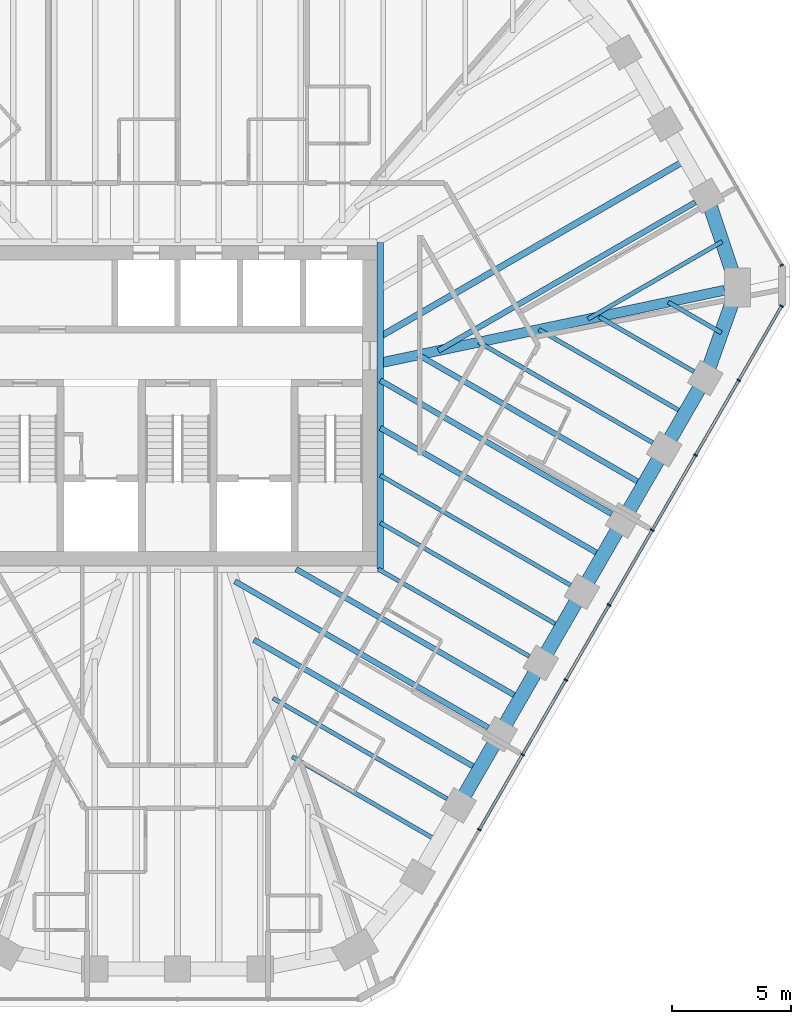
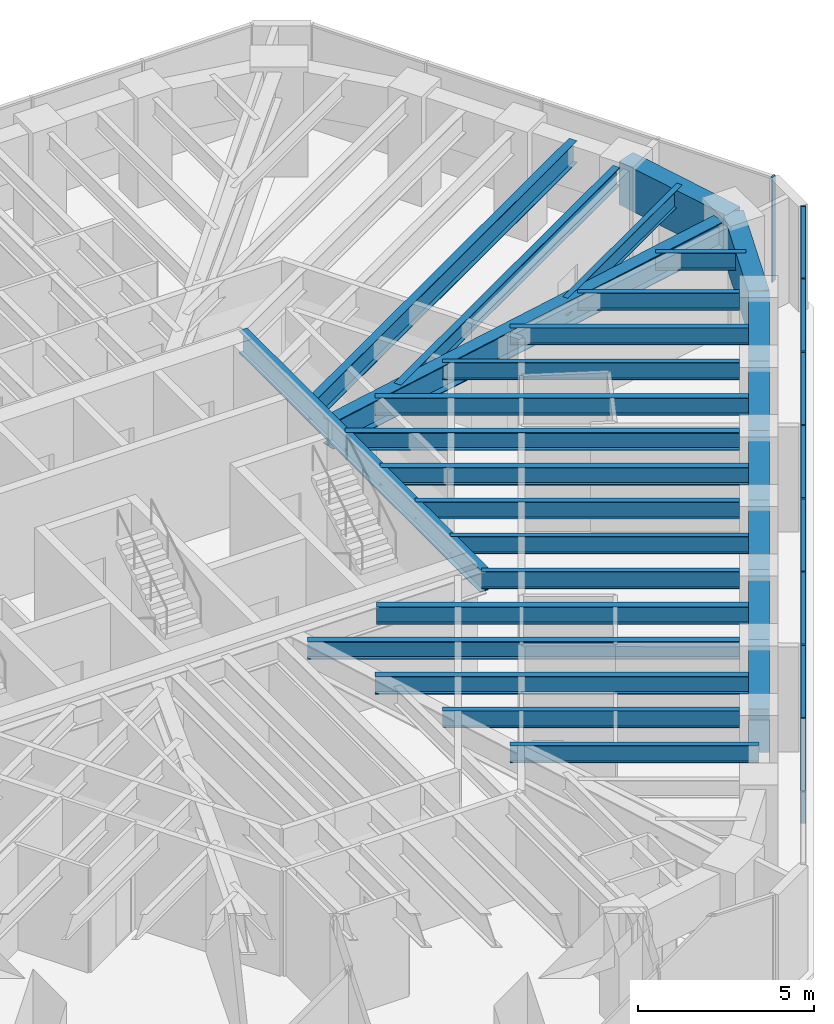
# One storey, part 5 of 14: 28 beams, 16 members, 2 elements without a shape of their own.
"""IFC4 building model written with IfcOpenShell, lengths in metres."""

from ifc_helpers import new_model, si_unit, direction, frame, origin, origin_2d, place, context, subcontext, project, spatial, rectangle, i_section, extrude, material, material_profile, profile_set, type_object, element, aggregate, save


model = new_model("IFC4")

# Units and contexts
model_context = context("Model", 3, precision=1e-05, world=origin(), true_north=direction((0.0, 1.0)))
body_context = subcontext(model_context, "Body", "Model", "MODEL_VIEW")
ifc_project = project(units=[si_unit("LENGTHUNIT", "METRE"), si_unit("AREAUNIT", "SQUARE_METRE"), si_unit("VOLUMEUNIT", "CUBIC_METRE"), si_unit("PLANEANGLEUNIT", "RADIAN"), si_unit("MASSUNIT", "GRAM", prefix="KILO")], contexts=[model_context])

# Site, building, storey
site_placement = place(None, origin())
site = spatial("IfcSite", under=ifc_project, at=site_placement, CompositionType="ELEMENT")
building_placement = place(site_placement, origin())
building = spatial("IfcBuilding", under=site, at=building_placement, Name="Sandreach Pilgrim Tower", CompositionType="ELEMENT")
storey_placement = place(building_placement, frame((0.0, 0.0, 291.199951171875)))
storey = spatial("IfcBuildingStorey", under=building, at=storey_placement, Name="L73", CompositionType="ELEMENT", Elevation=291.199951171875)

# Curtain wall, member
ifc_material_1 = material(Name="Aluminium framed curtain wall", Category="aluminium")
curtain_wall_type = type_object("IfcCurtainWallType", Name="Suite tower curtain wall", PredefinedType="NOTDEFINED", material=ifc_material_1)
curtain_wall_1_placement = place(storey_placement, origin())
curtain_wall_1 = element("IfcCurtainWall", 1, at=curtain_wall_1_placement, inside=storey, type_object=curtain_wall_type, Name="CW-4 L73 NE", PredefinedType="NOTDEFINED")
ifc_material_2 = material(Name="Aluminium extrusion", Category="aluminium")
ifc_material_profile_1 = material_profile(ifc_material_2, rectangle(XDim=0.06005859375, YDim=0.159912109375, at=origin_2d()), Name="CW-4M 60X160")
ifc_profile_set_1 = profile_set([ifc_material_profile_1], Name="Aluminium extrusion")
member_type_1 = type_object("IfcMemberType", Name="CW-4 mullion", PredefinedType="MULLION", material=ifc_profile_set_1)
member_1_placement = place(storey_placement, frame((25.304443359375, 5.8876953125, 0.0), z_axis=(0.0, 0.0, 1.0), x_axis=(0.5, -0.866025403784, 0.0)))
member_1 = element("IfcMember", 2, at=member_1_placement, type_object=member_type_1, Name="CW-4 mullion 5", PredefinedType="MULLION", context=body_context, shape_type="SweptSolid", body=[
    extrude(rectangle(XDim=0.06005859375, YDim=0.159912109375, at=origin_2d()), origin(), (0.0, 0.0, 1.0), 3.64013671875),
])
aggregate(curtain_wall_1, [member_1])

# Curtain wall, members
curtain_wall_2_placement = place(storey_placement, origin())
curtain_wall_2 = element("IfcCurtainWall", 3, at=curtain_wall_2_placement, inside=storey, type_object=curtain_wall_type, Name="CW-4 L73 SE", PredefinedType="NOTDEFINED")
member_2_placement = place(storey_placement, frame((25.304443359375, 4.175537109375, 0.0), z_axis=(0.0, 0.0, 1.0), x_axis=(-0.5, -0.866025403784, 0.0)))
member_2 = element("IfcMember", 4, at=member_2_placement, type_object=member_type_1, Name="CW-4 mullion 1", PredefinedType="MULLION", context=body_context, shape_type="SweptSolid", body=[
    extrude(rectangle(XDim=0.06005859375, YDim=0.159912109375, at=origin_2d()), origin(), (0.0, 0.0, 1.0), 3.64013671875),
])
member_3_placement = place(storey_placement, frame((23.508544921875, 1.06494140625, 0.0), z_axis=(0.0, 0.0, 1.0), x_axis=(-0.5, -0.866025403784, 0.0)))
member_3 = element("IfcMember", 5, at=member_3_placement, type_object=member_type_1, Name="CW-4 mullion 2", PredefinedType="MULLION", context=body_context, shape_type="SweptSolid", body=[
    extrude(rectangle(XDim=0.06005859375, YDim=0.159912109375, at=origin_2d()), origin(), (0.0, 0.0, 1.0), 3.64013671875),
])
member_4_placement = place(storey_placement, frame((21.697509765625, -2.071533203125, 0.0), z_axis=(0.0, 0.0, 1.0), x_axis=(-0.5, -0.866025403784, 0.0)))
member_4 = element("IfcMember", 6, at=member_4_placement, type_object=member_type_1, Name="CW-4 mullion 3", PredefinedType="MULLION", context=body_context, shape_type="SweptSolid", body=[
    extrude(rectangle(XDim=0.06005859375, YDim=0.159912109375, at=origin_2d()), origin(), (0.0, 0.0, 1.0), 3.64013671875),
])
member_5_placement = place(storey_placement, frame((19.886474609375, -5.208251953125, 0.0), z_axis=(0.0, 0.0, 1.0), x_axis=(-0.5, -0.866025403784, 0.0)))
member_5 = element("IfcMember", 7, at=member_5_placement, type_object=member_type_1, Name="CW-4 mullion 4", PredefinedType="MULLION", context=body_context, shape_type="SweptSolid", body=[
    extrude(rectangle(XDim=0.06005859375, YDim=0.159912109375, at=origin_2d()), origin(), (0.0, 0.0, 1.0), 3.64013671875),
])
member_6_placement = place(storey_placement, frame((18.07568359375, -8.344970703125, 0.0), z_axis=(0.0, 0.0, 1.0), x_axis=(-0.5, -0.866025403784, 0.0)))
member_6 = element("IfcMember", 8, at=member_6_placement, type_object=member_type_1, Name="CW-4 mullion 5", PredefinedType="MULLION", context=body_context, shape_type="SweptSolid", body=[
    extrude(rectangle(XDim=0.06005859375, YDim=0.159912109375, at=origin_2d()), origin(), (0.0, 0.0, 1.0), 3.64013671875),
])
member_7_placement = place(storey_placement, frame((16.2646484375, -11.4814453125, 0.0), z_axis=(0.0, 0.0, 1.0), x_axis=(-0.5, -0.866025403784, 0.0)))
member_7 = element("IfcMember", 9, at=member_7_placement, type_object=member_type_1, Name="CW-4 mullion 6", PredefinedType="MULLION", context=body_context, shape_type="SweptSolid", body=[
    extrude(rectangle(XDim=0.06005859375, YDim=0.159912109375, at=origin_2d()), origin(), (0.0, 0.0, 1.0), 3.64013671875),
])
member_8_placement = place(storey_placement, frame((14.453857421875, -14.6181640625, 0.0), z_axis=(0.0, 0.0, 1.0), x_axis=(-0.5, -0.866025403784, 0.0)))
member_8 = element("IfcMember", 10, at=member_8_placement, type_object=member_type_1, Name="CW-4 mullion 7", PredefinedType="MULLION", context=body_context, shape_type="SweptSolid", body=[
    extrude(rectangle(XDim=0.06005859375, YDim=0.159912109375, at=origin_2d()), origin(), (0.0, 0.0, 1.0), 3.64013671875),
])
member_9_placement = place(storey_placement, frame((12.642822265625, -17.7548828125, 0.0), z_axis=(0.0, 0.0, 1.0), x_axis=(-0.5, -0.866025403784, 0.0)))
member_9 = element("IfcMember", 11, at=member_9_placement, type_object=member_type_1, Name="CW-4 mullion 8", PredefinedType="MULLION", context=body_context, shape_type="SweptSolid", body=[
    extrude(rectangle(XDim=0.06005859375, YDim=0.159912109375, at=origin_2d()), origin(), (0.0, 0.0, 1.0), 3.64013671875),
])
ifc_material_3 = material(Name="Aluminium extrusion", Category="aluminium")
ifc_material_profile_2 = material_profile(ifc_material_3, rectangle(XDim=0.1201171875, YDim=0.070068359375, at=origin_2d()), Name="CW-4T 120X70")
ifc_profile_set_2 = profile_set([ifc_material_profile_2], Name="Aluminium extrusion")
member_type_2 = type_object("IfcMemberType", Name="CW-4 transom", PredefinedType="USERDEFINED", material=ifc_profile_set_2)
member_10_placement = place(storey_placement, frame((25.289306640625, 4.149658203125, 3.60498046875), z_axis=(-0.499997709859, -0.866026725994, 0.0), x_axis=(0.866026725994, -0.499997709859, 0.0)))
member_10 = element("IfcMember", 12, at=member_10_placement, type_object=member_type_2, Name="CW-4 head transom 1", ObjectType="TRANSOM", PredefinedType="USERDEFINED", context=body_context, shape_type="SweptSolid", body=[
    extrude(rectangle(XDim=0.1201171875, YDim=0.070068359375, at=origin_2d()), origin(), (0.0, 0.0, 1.0), 3.53173828125),
])
member_11_placement = place(storey_placement, frame((23.493408203125, 1.0390625, 3.60498046875), z_axis=(-0.500009219579, -0.866020080793, 0.0), x_axis=(0.866020080793, -0.500009219579, 0.0)))
member_11 = element("IfcMember", 13, at=member_11_placement, type_object=member_type_2, Name="CW-4 head transom 2", ObjectType="TRANSOM", PredefinedType="USERDEFINED", context=body_context, shape_type="SweptSolid", body=[
    extrude(rectangle(XDim=0.1201171875, YDim=0.070068359375, at=origin_2d()), origin(), (0.0, 0.0, 1.0), 3.56201171875),
])
member_12_placement = place(storey_placement, frame((21.6826171875, -2.09765625, 3.60498046875), z_axis=(-0.500009219579, -0.866020080793, 0.0), x_axis=(0.866020080793, -0.500009219579, 0.0)))
member_12 = element("IfcMember", 14, at=member_12_placement, type_object=member_type_2, Name="CW-4 head transom 3", ObjectType="TRANSOM", PredefinedType="USERDEFINED", context=body_context, shape_type="SweptSolid", body=[
    extrude(rectangle(XDim=0.1201171875, YDim=0.070068359375, at=origin_2d()), origin(), (0.0, 0.0, 1.0), 3.56201171875),
])
member_13_placement = place(storey_placement, frame((19.87158203125, -5.234375, 3.60498046875), z_axis=(-0.500038900691, -0.866002943295, 0.0), x_axis=(0.866002943295, -0.500038900691, 0.0)))
member_13 = element("IfcMember", 15, at=member_13_placement, type_object=member_type_2, Name="CW-4 head transom 4", ObjectType="TRANSOM", PredefinedType="USERDEFINED", context=body_context, shape_type="SweptSolid", body=[
    extrude(rectangle(XDim=0.1201171875, YDim=0.070068359375, at=origin_2d()), origin(), (0.0, 0.0, 1.0), 3.561767578125),
])
member_14_placement = place(storey_placement, frame((18.060546875, -8.370849609375, 3.60498046875), z_axis=(-0.499957811549, -0.866049759928, 0.0), x_axis=(0.866049759928, -0.499957811549, 0.0)))
member_14 = element("IfcMember", 16, at=member_14_placement, type_object=member_type_2, Name="CW-4 head transom 5", ObjectType="TRANSOM", PredefinedType="USERDEFINED", context=body_context, shape_type="SweptSolid", body=[
    extrude(rectangle(XDim=0.1201171875, YDim=0.070068359375, at=origin_2d()), origin(), (0.0, 0.0, 1.0), 3.561767578125),
])
member_15_placement = place(storey_placement, frame((16.249755859375, -11.507568359375, 3.60498046875), z_axis=(-0.500009219579, -0.866020080793, 0.0), x_axis=(0.866020080793, -0.500009219579, 0.0)))
member_15 = element("IfcMember", 17, at=member_15_placement, type_object=member_type_2, Name="CW-4 head transom 6", ObjectType="TRANSOM", PredefinedType="USERDEFINED", context=body_context, shape_type="SweptSolid", body=[
    extrude(rectangle(XDim=0.1201171875, YDim=0.070068359375, at=origin_2d()), origin(), (0.0, 0.0, 1.0), 3.56201171875),
])
member_16_placement = place(storey_placement, frame((14.438720703125, -14.64404296875, 3.60498046875), z_axis=(-0.499957811549, -0.866049759928, 0.0), x_axis=(0.866049759928, -0.499957811549, 0.0)))
member_16 = element("IfcMember", 18, at=member_16_placement, type_object=member_type_2, Name="CW-4 head transom 7", ObjectType="TRANSOM", PredefinedType="USERDEFINED", context=body_context, shape_type="SweptSolid", body=[
    extrude(rectangle(XDim=0.1201171875, YDim=0.070068359375, at=origin_2d()), origin(), (0.0, 0.0, 1.0), 3.561767578125),
])
aggregate(curtain_wall_2, [member_2, member_3, member_4, member_5, member_6, member_7, member_8, member_9, member_10, member_11, member_12, member_13, member_14, member_15, member_16])

# Beams
ifc_material_4 = material(Name="Steel ASTM A992 Grade 50", Category="steel")
ifc_material_profile_3 = material_profile(ifc_material_4, i_section(OverallWidth=0.2666015625, OverallDepth=0.77978515625, WebThickness=0.0166015625, FlangeThickness=0.030029296875, at=origin_2d()), Name="W30X148")
ifc_profile_set_3 = profile_set([ifc_material_profile_3], Name="Steel ASTM A992 Grade 50")
beam_type_1 = type_object("IfcBeamType", Name="Core edge beam W30X148", PredefinedType="BEAM", material=ifc_profile_set_3)
beam_1_placement = place(storey_placement, frame((8.493408203125, 6.84326171875, 3.250244140625), z_axis=(0.0, -1.0, 0.0), x_axis=(1.0, 0.0, 0.0)))
element("IfcBeam", 19, at=beam_1_placement, inside=storey, type_object=beam_type_1, Name="BM L73 CEE", PredefinedType="BEAM", context=body_context, shape_type="SweptSolid", body=[
    extrude(i_section(OverallWidth=0.2666015625, OverallDepth=0.77978515625, WebThickness=0.0166015625, FlangeThickness=0.030029296875, at=origin_2d()), origin(), (0.0, 0.0, 1.0), 13.6865234375),
])
ifc_material_5 = material(Name="Steel ASTM A992 Grade 50", Category="steel")
ifc_material_profile_4 = material_profile(ifc_material_5, i_section(OverallWidth=0.419189453125, OverallDepth=0.927001953125, WebThickness=0.019287109375, FlangeThickness=0.031982421875, at=origin_2d()), Name="W36X231")
ifc_profile_set_4 = profile_set([ifc_material_profile_4], Name="Steel ASTM A992 Grade 50")
beam_type_2 = type_object("IfcBeamType", Name="Corner girder W36X231", PredefinedType="BEAM", material=ifc_profile_set_4)
beam_2_placement = place(storey_placement, frame((22.917724609375, 4.838623046875, 3.176513671875), z_axis=(-0.978430270369, -0.206577360876, 0.0), x_axis=(0.206577360876, -0.978430270369, 0.0)))
element("IfcBeam", 20, at=beam_2_placement, inside=storey, type_object=beam_type_2, Name="BM L73 CG13", PredefinedType="BEAM", context=body_context, shape_type="SweptSolid", body=[
    extrude(i_section(OverallWidth=0.419189453125, OverallDepth=0.927001953125, WebThickness=0.019287109375, FlangeThickness=0.031982421875, at=origin_2d()), origin(), (0.0, 0.0, 1.0), 14.888671875),
])
ifc_material_6 = material(Name="Steel ASTM A992 Grade 50", Category="steel")
ifc_material_profile_5 = material_profile(ifc_material_6, i_section(OverallWidth=0.1787109375, OverallDepth=0.60205078125, WebThickness=0.010986328125, FlangeThickness=0.014892578125, at=origin_2d()), Name="W24X62")
ifc_profile_set_5 = profile_set([ifc_material_profile_5], Name="Steel ASTM A992 Grade 50")
beam_type_3 = type_object("IfcBeamType", Name="Floor beam W24X62", PredefinedType="BEAM", material=ifc_profile_set_5)
beam_3_placement = place(storey_placement, frame((21.631591796875, 1.433837890625, 3.339111328125), z_axis=(-0.866037621819, 0.499978837146, 0.0), x_axis=(-0.499978837146, -0.866037621819, 0.0)))
element("IfcBeam", 21, at=beam_3_placement, inside=storey, type_object=beam_type_3, Name="BM L73 F14", PredefinedType="BEAM", context=body_context, shape_type="SweptSolid", body=[
    extrude(i_section(OverallWidth=0.1787109375, OverallDepth=0.60205078125, WebThickness=0.010986328125, FlangeThickness=0.014892578125, at=origin_2d()), origin(), (0.0, 0.0, 1.0), 4.588623046875),
])
beam_4_placement = place(storey_placement, frame((19.908935546875, -1.549560546875, 3.339111328125), z_axis=(-0.866026819143, 0.499997548519, 0.0), x_axis=(-0.499997548519, -0.866026819143, 0.0)))
element("IfcBeam", 22, at=beam_4_placement, inside=storey, type_object=beam_type_3, Name="BM L73 F15", PredefinedType="BEAM", context=body_context, shape_type="SweptSolid", body=[
    extrude(i_section(OverallWidth=0.1787109375, OverallDepth=0.60205078125, WebThickness=0.010986328125, FlangeThickness=0.014892578125, at=origin_2d()), origin(), (0.0, 0.0, 1.0), 8.4248046875),
])
beam_5_placement = place(storey_placement, frame((16.4638671875, -7.516357421875, 3.339111328125), z_axis=(-0.866022580836, 0.500004889459, 0.0), x_axis=(-0.500004889459, -0.866022580836, 0.0)))
element("IfcBeam", 23, at=beam_5_placement, inside=storey, type_object=beam_type_3, Name="BM L73 F17", PredefinedType="BEAM", context=body_context, shape_type="SweptSolid", body=[
    extrude(i_section(OverallWidth=0.1787109375, OverallDepth=0.60205078125, WebThickness=0.010986328125, FlangeThickness=0.014892578125, at=origin_2d()), origin(), (0.0, 0.0, 1.0), 9.20361328125),
])
beam_6_placement = place(storey_placement, frame((14.741455078125, -10.5, 3.339111328125), z_axis=(-0.866019920622, 0.500009496996, 0.0), x_axis=(-0.500009496996, -0.866019920622, 0.0)))
element("IfcBeam", 24, at=beam_6_placement, inside=storey, type_object=beam_type_3, Name="BM L73 F18", PredefinedType="BEAM", context=body_context, shape_type="SweptSolid", body=[
    extrude(i_section(OverallWidth=0.1787109375, OverallDepth=0.60205078125, WebThickness=0.010986328125, FlangeThickness=0.014892578125, at=origin_2d()), origin(), (0.0, 0.0, 1.0), 7.313232421875),
])
beam_7_placement = place(storey_placement, frame((11.29638671875, -16.466796875, 3.339111328125), z_axis=(-0.866026819143, 0.499997548519, 0.0), x_axis=(-0.499997548519, -0.866026819143, 0.0)))
element("IfcBeam", 25, at=beam_7_placement, inside=storey, type_object=beam_type_3, Name="BM L73 F20", PredefinedType="BEAM", context=body_context, shape_type="SweptSolid", body=[
    extrude(i_section(OverallWidth=0.1787109375, OverallDepth=0.60205078125, WebThickness=0.010986328125, FlangeThickness=0.014892578125, at=origin_2d()), origin(), (0.0, 0.0, 1.0), 8.4248046875),
])
beam_8_placement = place(storey_placement, frame((22.8125, 6.875, 3.339111328125), z_axis=(-0.866023980233, -0.500002465655, 0.0), x_axis=(0.500002465655, -0.866023980233, 0.0)))
element("IfcBeam", 26, at=beam_8_placement, inside=storey, type_object=beam_type_3, Name="BM L73 FM12", PredefinedType="BEAM", context=body_context, shape_type="SweptSolid", body=[
    extrude(i_section(OverallWidth=0.1787109375, OverallDepth=0.60205078125, WebThickness=0.010986328125, FlangeThickness=0.014892578125, at=origin_2d()), origin(), (0.0, 0.0, 1.0), 6.49072265625),
])
beam_9_placement = place(storey_placement, frame((22.78173828125, 3.0556640625, 3.339111328125), z_axis=(-0.8660004255, 0.500043261163, 0.0), x_axis=(-0.500043261163, -0.8660004255, 0.0)))
element("IfcBeam", 27, at=beam_9_placement, inside=storey, type_object=beam_type_3, Name="BM L73 FM13", PredefinedType="BEAM", context=body_context, shape_type="SweptSolid", body=[
    extrude(i_section(OverallWidth=0.1787109375, OverallDepth=0.60205078125, WebThickness=0.010986328125, FlangeThickness=0.014892578125, at=origin_2d()), origin(), (0.0, 0.0, 1.0), 2.569091796875),
])
beam_10_placement = place(storey_placement, frame((21.24658203125, -0.332763671875, 3.339111328125), z_axis=(-0.866028878405, 0.499993981732, 0.0), x_axis=(-0.499993981732, -0.866028878405, 0.0)))
element("IfcBeam", 28, at=beam_10_placement, inside=storey, type_object=beam_type_3, Name="BM L73 FM14", PredefinedType="BEAM", context=body_context, shape_type="SweptSolid", body=[
    extrude(i_section(OverallWidth=0.1787109375, OverallDepth=0.60205078125, WebThickness=0.010986328125, FlangeThickness=0.014892578125, at=origin_2d()), origin(), (0.0, 0.0, 1.0), 7.056640625),
])
beam_11_placement = place(storey_placement, frame((16.0791015625, -9.283203125, 3.339111328125), z_axis=(-0.866023595995, 0.500003131169, 0.0), x_axis=(-0.500003131169, -0.866023595995, 0.0)))
element("IfcBeam", 29, at=beam_11_placement, inside=storey, type_object=beam_type_3, Name="BM L73 FM17", PredefinedType="BEAM", context=body_context, shape_type="SweptSolid", body=[
    extrude(i_section(OverallWidth=0.1787109375, OverallDepth=0.60205078125, WebThickness=0.010986328125, FlangeThickness=0.014892578125, at=origin_2d()), origin(), (0.0, 0.0, 1.0), 8.75927734375),
])
beam_12_placement = place(storey_placement, frame((10.911376953125, -18.233642578125, 3.339111328125), z_axis=(-0.866020229007, 0.50000896287, 0.0), x_axis=(-0.50000896287, -0.866020229007, 0.0)))
element("IfcBeam", 30, at=beam_12_placement, inside=storey, type_object=beam_type_3, Name="BM L73 FM20", PredefinedType="BEAM", context=body_context, shape_type="SweptSolid", body=[
    extrude(i_section(OverallWidth=0.1787109375, OverallDepth=0.60205078125, WebThickness=0.010986328125, FlangeThickness=0.014892578125, at=origin_2d()), origin(), (0.0, 0.0, 1.0), 7.056396484375),
])
ifc_material_7 = material(Name="Steel ASTM A992 Grade 50", Category="steel")
ifc_material_profile_6 = material_profile(ifc_material_7, i_section(OverallWidth=0.23046875, OverallDepth=0.6171875, WebThickness=0.01318359375, FlangeThickness=0.022216796875, at=origin_2d()), Name="W24X94")
ifc_profile_set_6 = profile_set([ifc_material_profile_6], Name="Steel ASTM A992 Grade 50")
beam_type_4 = type_object("IfcBeamType", Name="Floor beam W24X94", PredefinedType="BEAM", material=ifc_profile_set_6)
beam_13_placement = place(storey_placement, frame((21.69287109375, 8.522705078125, 3.33154296875), z_axis=(-0.866028931402, -0.499993889937, 0.0), x_axis=(0.499993889937, -0.866028931402, 0.0)))
element("IfcBeam", 31, at=beam_13_placement, inside=storey, type_object=beam_type_4, Name="BM L73 F12", PredefinedType="BEAM", context=body_context, shape_type="SweptSolid", body=[
    extrude(i_section(OverallWidth=0.23046875, OverallDepth=0.6171875, WebThickness=0.01318359375, FlangeThickness=0.022216796875, at=origin_2d()), origin(), (0.0, 0.0, 1.0), 12.431396484375),
])
beam_14_placement = place(storey_placement, frame((18.1865234375, -4.532958984375, 3.33154296875), z_axis=(-0.866030482771, 0.499991202833, 0.0), x_axis=(-0.499991202833, -0.866030482771, 0.0)))
element("IfcBeam", 32, at=beam_14_placement, inside=storey, type_object=beam_type_4, Name="BM L73 F16", PredefinedType="BEAM", context=body_context, shape_type="SweptSolid", body=[
    extrude(i_section(OverallWidth=0.23046875, OverallDepth=0.6171875, WebThickness=0.01318359375, FlangeThickness=0.022216796875, at=origin_2d()), origin(), (0.0, 0.0, 1.0), 11.192626953125),
])
beam_15_placement = place(storey_placement, frame((13.018798828125, -13.4833984375, 3.33154296875), z_axis=(-0.866019132277, 0.500010862412, 0.0), x_axis=(-0.500010862412, -0.866019132277, 0.0)))
element("IfcBeam", 33, at=beam_15_placement, inside=storey, type_object=beam_type_4, Name="BM L73 F19", PredefinedType="BEAM", context=body_context, shape_type="SweptSolid", body=[
    extrude(i_section(OverallWidth=0.23046875, OverallDepth=0.6171875, WebThickness=0.01318359375, FlangeThickness=0.022216796875, at=origin_2d()), origin(), (0.0, 0.0, 1.0), 12.261474609375),
])
beam_16_placement = place(storey_placement, frame((19.52392578125, -3.316162109375, 3.33154296875), z_axis=(-0.866029205616, 0.499993414976, 0.0), x_axis=(-0.499993414976, -0.866029205616, 0.0)))
element("IfcBeam", 34, at=beam_16_placement, inside=storey, type_object=beam_type_4, Name="BM L73 FM15", PredefinedType="BEAM", context=body_context, shape_type="SweptSolid", body=[
    extrude(i_section(OverallWidth=0.23046875, OverallDepth=0.6171875, WebThickness=0.01318359375, FlangeThickness=0.022216796875, at=origin_2d()), origin(), (0.0, 0.0, 1.0), 10.893310546875),
])
beam_17_placement = place(storey_placement, frame((17.801513671875, -6.2998046875, 3.33154296875), z_axis=(-0.866025958161, 0.49999903979, 0.0), x_axis=(-0.49999903979, -0.866025958161, 0.0)))
element("IfcBeam", 35, at=beam_17_placement, inside=storey, type_object=beam_type_4, Name="BM L73 FM16", PredefinedType="BEAM", context=body_context, shape_type="SweptSolid", body=[
    extrude(i_section(OverallWidth=0.23046875, OverallDepth=0.6171875, WebThickness=0.01318359375, FlangeThickness=0.022216796875, at=origin_2d()), origin(), (0.0, 0.0, 1.0), 10.748046875),
])
beam_18_placement = place(storey_placement, frame((14.3564453125, -12.2666015625, 3.33154296875), z_axis=(-0.866026660645, 0.499997823047, 0.0), x_axis=(-0.499997823047, -0.866026660645, 0.0)))
element("IfcBeam", 36, at=beam_18_placement, inside=storey, type_object=beam_type_4, Name="BM L73 FM18", PredefinedType="BEAM", context=body_context, shape_type="SweptSolid", body=[
    extrude(i_section(OverallWidth=0.23046875, OverallDepth=0.6171875, WebThickness=0.01318359375, FlangeThickness=0.022216796875, at=origin_2d()), origin(), (0.0, 0.0, 1.0), 10.8466796875),
])
beam_19_placement = place(storey_placement, frame((12.634033203125, -15.250244140625, 3.33154296875), z_axis=(-0.866019500887, 0.500010223979, 0.0), x_axis=(-0.500010223979, -0.866019500887, 0.0)))
element("IfcBeam", 37, at=beam_19_placement, inside=storey, type_object=beam_type_4, Name="BM L73 FM19", PredefinedType="BEAM", context=body_context, shape_type="SweptSolid", body=[
    extrude(i_section(OverallWidth=0.23046875, OverallDepth=0.6171875, WebThickness=0.01318359375, FlangeThickness=0.022216796875, at=origin_2d()), origin(), (0.0, 0.0, 1.0), 10.893310546875),
])
ifc_material_8 = material(Name="Steel ASTM A992 Grade 50", Category="steel")
ifc_material_profile_7 = material_profile(ifc_material_8, i_section(OverallWidth=0.2666015625, OverallDepth=0.761962890625, WebThickness=0.014404296875, FlangeThickness=0.021484375, at=origin_2d()), Name="W30X116")
ifc_profile_set_7 = profile_set([ifc_material_profile_7], Name="Steel ASTM A992 Grade 50")
beam_type_5 = type_object("IfcBeamType", Name="Floor beam W30X116", PredefinedType="BEAM", material=ifc_profile_set_7)
beam_20_placement = place(storey_placement, frame((21.302978515625, 10.29833984375, 3.259033203125), z_axis=(-0.866028362181, -0.499994875871, 0.0), x_axis=(0.499994875871, -0.866028362181, 0.0)))
element("IfcBeam", 38, at=beam_20_placement, inside=storey, type_object=beam_type_5, Name="BM L73 FM11", PredefinedType="BEAM", context=body_context, shape_type="SweptSolid", body=[
    extrude(i_section(OverallWidth=0.2666015625, OverallDepth=0.761962890625, WebThickness=0.014404296875, FlangeThickness=0.021484375, at=origin_2d()), origin(), (0.0, 0.0, 1.0), 14.791259765625),
])
ifc_material_9 = material(Name="Concrete 10000 psi", Category="concrete")
ifc_material_profile_8 = material_profile(ifc_material_9, rectangle(XDim=0.60009765625, YDim=1.5, at=origin_2d()), Name="RC600X1500")
ifc_profile_set_8 = profile_set([ifc_material_profile_8], Name="Concrete 10000 psi")
beam_type_6 = type_object("IfcBeamType", Name="Spandrel beam RC600X1500", PredefinedType="SPANDREL", material=ifc_profile_set_8)
beam_21_placement = place(storey_placement, frame((22.169189453125, 8.7978515625, 2.89013671875), z_axis=(0.317293238289, -0.948327475578, 0.0), x_axis=(0.948327475578, 0.317293238289, 0.0)))
element("IfcBeam", 39, at=beam_21_placement, inside=storey, type_object=beam_type_6, Name="BM L73 SP12", PredefinedType="SPANDREL", context=body_context, shape_type="SweptSolid", body=[
    extrude(rectangle(XDim=0.60009765625, YDim=1.5, at=origin_2d()), origin(), (0.0, 0.0, 1.0), 4.054931640625),
])
beam_22_placement = place(storey_placement, frame((23.455810546875, 4.952392578125, 2.89013671875), z_axis=(-0.33481464839, -0.94228400773, 0.0), x_axis=(0.94228400773, -0.33481464839, 0.0)))
element("IfcBeam", 40, at=beam_22_placement, inside=storey, type_object=beam_type_6, Name="BM L73 SP13", PredefinedType="SPANDREL", context=body_context, shape_type="SweptSolid", body=[
    extrude(rectangle(XDim=0.60009765625, YDim=1.5, at=origin_2d()), origin(), (0.0, 0.0, 1.0), 4.02587890625),
])
for number, where, z_axis, x_axis, name in (
    (41, (22.10791015625, 1.158935546875, 2.89013671875), (-0.500041441558, -0.866001476168, 0.0), (0.866001476168, -0.500041441558, 0.0), "BM L73 SP14"),
    (42, (20.38525390625, -1.824462890625, 2.89013671875), (-0.499957605418, -0.866049878924, 0.0), (0.866049878924, -0.499957605418, 0.0), "BM L73 SP15"),
    (43, (18.662841796875, -4.80810546875, 2.89013671875), (-0.500041441558, -0.866001476168, 0.0), (0.866001476168, -0.500041441558, 0.0), "BM L73 SP16"),
):
    element("IfcBeam", number, at=place(storey_placement, frame(where, z_axis=z_axis, x_axis=x_axis)), inside=storey, type_object=beam_type_6, Name=name, PredefinedType="SPANDREL", context=body_context, shape_type="SweptSolid", body=[
        extrude(rectangle(XDim=0.60009765625, YDim=1.5, at=origin_2d()), origin(), (0.0, 0.0, 1.0), 3.445068359375),
    ])
beam_23_placement = place(storey_placement, frame((16.940185546875, -7.79150390625, 2.89013671875), z_axis=(-0.499988291006, -0.866032163869, 0.0), x_axis=(0.866032163869, -0.499988291006, 0.0)))
element("IfcBeam", 44, at=beam_23_placement, inside=storey, type_object=beam_type_6, Name="BM L73 SP17", PredefinedType="SPANDREL", context=body_context, shape_type="SweptSolid", body=[
    extrude(rectangle(XDim=0.60009765625, YDim=1.5, at=origin_2d()), origin(), (0.0, 0.0, 1.0), 3.44482421875),
])
beam_24_placement = place(storey_placement, frame((15.2177734375, -10.77490234375, 2.89013671875), z_axis=(-0.500010754882, -0.866019194361, 0.0), x_axis=(0.866019194361, -0.500010754882, 0.0)))
element("IfcBeam", 45, at=beam_24_placement, inside=storey, type_object=beam_type_6, Name="BM L73 SP18", PredefinedType="SPANDREL", context=body_context, shape_type="SweptSolid", body=[
    extrude(rectangle(XDim=0.60009765625, YDim=1.5, at=origin_2d()), origin(), (0.0, 0.0, 1.0), 3.4453125),
])
beam_25_placement = place(storey_placement, frame((13.4951171875, -13.758544921875, 2.89013671875), z_axis=(-0.499988291006, -0.866032163869, 0.0), x_axis=(0.866032163869, -0.499988291006, 0.0)))
element("IfcBeam", 46, at=beam_25_placement, inside=storey, type_object=beam_type_6, Name="BM L73 SP19", PredefinedType="SPANDREL", context=body_context, shape_type="SweptSolid", body=[
    extrude(rectangle(XDim=0.60009765625, YDim=1.5, at=origin_2d()), origin(), (0.0, 0.0, 1.0), 3.44482421875),
])

save(model, "model.ifc")
